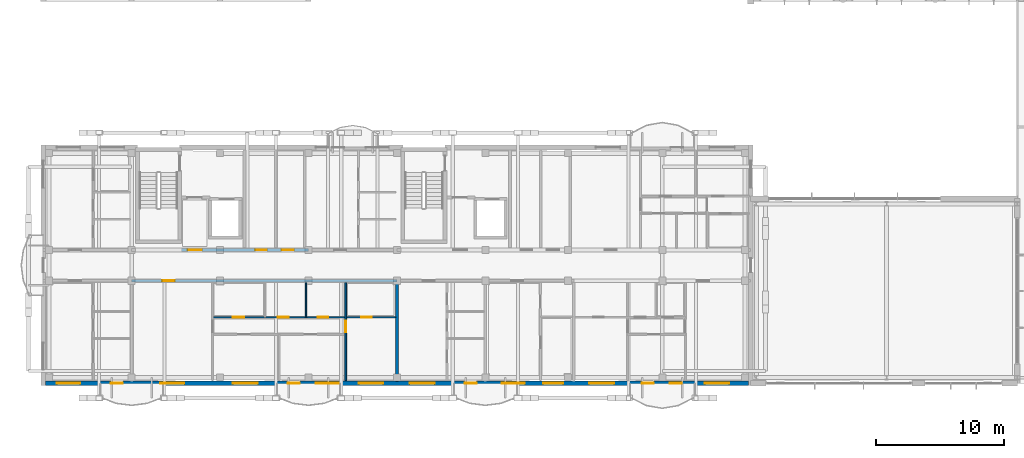
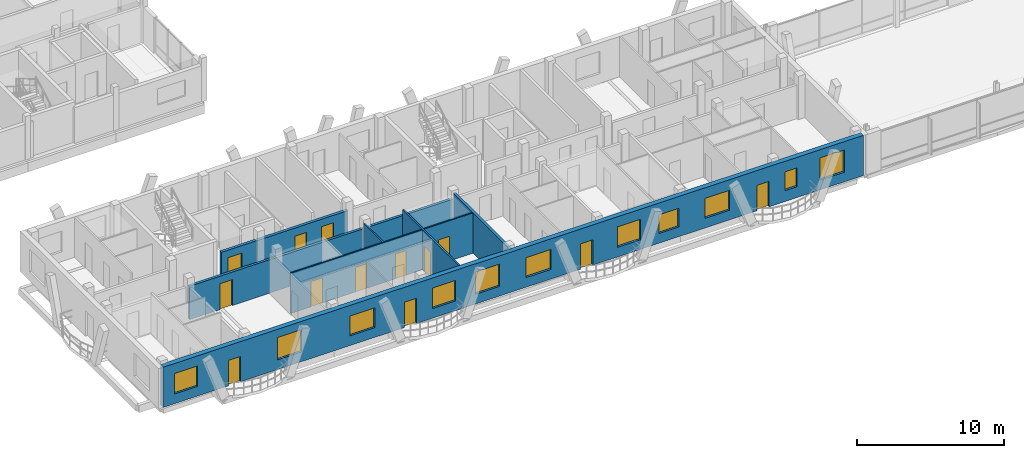
# One storey, part 142 of 189: 13 doors, 11 windows, 7 walls, 24 openings.
"""IFC4 building model written with IfcOpenShell, lengths in metres."""

from ifc_helpers import new_model, si_unit, direction, frame, frame_2d, origin, origin_with_axes, place, context, subcontext, project, spatial, rectangle, extrude, material, layer, layer_set, type_object, element, fill, save


model = new_model("IFC4")

# Units and contexts
model_context = context("Model", 3, precision=1e-05, world=origin(), true_north=direction((0.0, 1.0)))
body_context = subcontext(model_context, "Body", "Model", "MODEL_VIEW")
ifc_project = project(units=[si_unit("LENGTHUNIT", "METRE"), si_unit("AREAUNIT", "SQUARE_METRE"), si_unit("VOLUMEUNIT", "CUBIC_METRE"), si_unit("PLANEANGLEUNIT", "RADIAN"), si_unit("MASSUNIT", "GRAM", prefix="KILO")], contexts=[model_context])

# Site, building, storey
site_placement = place(None, origin())
site = spatial("IfcSite", under=ifc_project, at=site_placement, CompositionType="ELEMENT")
building_placement = place(site_placement, origin())
building = spatial("IfcBuilding", under=site, at=building_placement, Name="Zavelmont Quarter", CompositionType="ELEMENT")
storey_placement = place(building_placement, frame((0.0, 0.0, 4.39990234375)))
storey = spatial("IfcBuildingStorey", under=building, at=storey_placement, Name="L01", CompositionType="ELEMENT", Elevation=4.39990234375)

# Wall, openings, doors, windows
ifc_material_1 = material(Name="Natural Belgian limestone", Category="masonry")
ifc_layer_1 = layer(ifc_material_1, 0.3798828125)
ifc_layer_set_1 = layer_set([ifc_layer_1], Name="Natural Belgian limestone")
wall_type_1 = type_object("IfcWallType", Name="EW01", PredefinedType="STANDARD", material=ifc_layer_set_1)
wall_1_placement = place(storey_placement, frame((0.179931640625, 0.0, 0.0), z_axis=(0.0, 0.0, 1.0), x_axis=(1.0, 0.0, 0.0)))
wall_1 = element("IfcWall", 1, at=wall_1_placement, inside=storey, type_object=wall_type_1, Name="L01 exterior limestone wall EW01", PredefinedType="STANDARD", context=body_context, shape_type="SweptSolid", body=[
    extrude(rectangle(XDim=54.840087890625, YDim=0.3798828125, at=frame_2d((27.419921875, 0.0))), origin(), (0.0, 0.0, 1.0), 3.330078125),
])
opening_1_placement = place(wall_1_placement, frame((5.09033203125, 0.0, 0.0)))
opening_1 = element("IfcOpeningElement", 2, at=opening_1_placement, cuts=wall_1, Name="Opening DR04", PredefinedType="OPENING", context=body_context, shape_type="SweptSolid", body=[
    extrude(rectangle(XDim=0.949951171875, YDim=2.10009765625, at=frame_2d((0.47509765625, 1.050048828125))), frame((0.0, 0.201904296875, 0.0), z_axis=(0.0, -1.0, 0.0), x_axis=(1.0, 0.0, 0.0)), (0.0, 0.0, 1.0), 0.40380859375),
])
opening_2_placement = place(wall_1_placement, frame((18.889892578125, 0.0, 0.0)))
opening_2 = element("IfcOpeningElement", 3, at=opening_2_placement, cuts=wall_1, Name="Opening DR04", PredefinedType="OPENING", context=body_context, shape_type="SweptSolid", body=[
    extrude(rectangle(XDim=0.949951171875, YDim=2.10009765625, at=frame_2d((0.47509765625, 1.050048828125))), frame((0.0, 0.201904296875, 0.0), z_axis=(0.0, -1.0, 0.0), x_axis=(1.0, 0.0, 0.0)), (0.0, 0.0, 1.0), 0.40380859375),
])
opening_3_placement = place(wall_1_placement, frame((32.6904296875, 0.0, 0.0)))
opening_3 = element("IfcOpeningElement", 4, at=opening_3_placement, cuts=wall_1, Name="Opening DR04", PredefinedType="OPENING", context=body_context, shape_type="SweptSolid", body=[
    extrude(rectangle(XDim=0.949951171875, YDim=2.10009765625, at=frame_2d((0.47509765625, 1.050048828125))), frame((0.0, 0.201904296875, 0.0), z_axis=(0.0, -1.0, 0.0), x_axis=(1.0, 0.0, 0.0)), (0.0, 0.0, 1.0), 0.40380859375),
])
opening_4_placement = place(wall_1_placement, frame((46.50732421875, 0.0, 0.0)))
opening_4 = element("IfcOpeningElement", 5, at=opening_4_placement, cuts=wall_1, Name="Opening DR04", PredefinedType="OPENING", context=body_context, shape_type="SweptSolid", body=[
    extrude(rectangle(XDim=0.949951171875, YDim=2.10009765625, at=frame_2d((0.47509765625, 1.050048828125))), frame((0.0, 0.201904296875, 0.0), z_axis=(0.0, -1.0, 0.0), x_axis=(1.0, 0.0, 0.0)), (0.0, 0.0, 1.0), 0.40380859375),
])
opening_5_placement = place(wall_1_placement, frame((0.889892578125, 0.0, 0.800048828125)))
opening_5 = element("IfcOpeningElement", 6, at=opening_5_placement, cuts=wall_1, Name="Opening WN02", PredefinedType="OPENING", context=body_context, shape_type="SweptSolid", body=[
    extrude(rectangle(XDim=1.800048828125, YDim=1.699951171875, at=frame_2d((0.89990234375, 0.85009765625))), frame((0.0, 0.201904296875, 0.0), z_axis=(0.0, -1.0, 0.0), x_axis=(1.0, 0.0, 0.0)), (0.0, 0.0, 1.0), 0.40380859375),
])
opening_6_placement = place(wall_1_placement, frame((8.93994140625, 0.0, 0.800048828125)))
opening_6 = element("IfcOpeningElement", 7, at=opening_6_placement, cuts=wall_1, Name="Opening WN20", PredefinedType="OPENING", context=body_context, shape_type="SweptSolid", body=[
    extrude(rectangle(XDim=1.89990234375, YDim=1.85009765625, at=frame_2d((0.949951171875, 0.925048828125))), frame((0.0, 0.201904296875, 0.0), z_axis=(0.0, -1.0, 0.0), x_axis=(1.0, 0.0, 0.0)), (0.0, 0.0, 1.0), 0.40380859375),
])
opening_7_placement = place(wall_1_placement, frame((14.614990234375, 0.0, 0.800048828125)))
opening_7 = element("IfcOpeningElement", 8, at=opening_7_placement, cuts=wall_1, Name="Opening WN24", PredefinedType="OPENING", context=body_context, shape_type="SweptSolid", body=[
    extrude(rectangle(XDim=1.949951171875, YDim=1.64990234375, at=frame_2d((0.97509765625, 0.824951171875))), frame((0.0, 0.201904296875, 0.0), z_axis=(0.0, -1.0, 0.0), x_axis=(1.0, 0.0, 0.0)), (0.0, 0.0, 1.0), 0.40380859375),
])
opening_8_placement = place(wall_1_placement, frame((21.090087890625, 0.0, 0.800048828125)))
opening_8 = element("IfcOpeningElement", 9, at=opening_8_placement, cuts=wall_1, Name="Opening WN02", PredefinedType="OPENING", context=body_context, shape_type="SweptSolid", body=[
    extrude(rectangle(XDim=1.800048828125, YDim=1.699951171875, at=frame_2d((0.89990234375, 0.85009765625))), frame((0.0, 0.201904296875, 0.0), z_axis=(0.0, -1.0, 0.0), x_axis=(1.0, 0.0, 0.0)), (0.0, 0.0, 1.0), 0.40380859375),
])
opening_9_placement = place(wall_1_placement, frame((24.43994140625, 0.0, 0.800048828125)))
opening_9 = element("IfcOpeningElement", 10, at=opening_9_placement, cuts=wall_1, Name="Opening WN20", PredefinedType="OPENING", context=body_context, shape_type="SweptSolid", body=[
    extrude(rectangle(XDim=1.89990234375, YDim=1.85009765625, at=frame_2d((0.949951171875, 0.925048828125))), frame((0.0, 0.201904296875, 0.0), z_axis=(0.0, -1.0, 0.0), x_axis=(1.0, 0.0, 0.0)), (0.0, 0.0, 1.0), 0.40380859375),
])
opening_10_placement = place(wall_1_placement, frame((28.4150390625, 0.0, 0.800048828125)))
opening_10 = element("IfcOpeningElement", 11, at=opening_10_placement, cuts=wall_1, Name="Opening WN24", PredefinedType="OPENING", context=body_context, shape_type="SweptSolid", body=[
    extrude(rectangle(XDim=1.949951171875, YDim=1.64990234375, at=frame_2d((0.97509765625, 0.824951171875))), frame((0.0, 0.201904296875, 0.0), z_axis=(0.0, -1.0, 0.0), x_axis=(1.0, 0.0, 0.0)), (0.0, 0.0, 1.0), 0.40380859375),
])
opening_11_placement = place(wall_1_placement, frame((35.590087890625, 0.0, 0.800048828125)))
opening_11 = element("IfcOpeningElement", 12, at=opening_11_placement, cuts=wall_1, Name="Opening WN02", PredefinedType="OPENING", context=body_context, shape_type="SweptSolid", body=[
    extrude(rectangle(XDim=1.800048828125, YDim=1.699951171875, at=frame_2d((0.89990234375, 0.85009765625))), frame((0.0, 0.201904296875, 0.0), z_axis=(0.0, -1.0, 0.0), x_axis=(1.0, 0.0, 0.0)), (0.0, 0.0, 1.0), 0.40380859375),
])
opening_12_placement = place(wall_1_placement, frame((38.830078125, 0.0, 0.800048828125)))
opening_12 = element("IfcOpeningElement", 13, at=opening_12_placement, cuts=wall_1, Name="Opening WN23", PredefinedType="OPENING", context=body_context, shape_type="SweptSolid", body=[
    extrude(rectangle(XDim=1.550048828125, YDim=1.550048828125, at=frame_2d((0.77490234375, 0.77490234375))), frame((0.0, 0.201904296875, 0.0), z_axis=(0.0, -1.0, 0.0), x_axis=(1.0, 0.0, 0.0)), (0.0, 0.0, 1.0), 0.40380859375),
])
opening_13_placement = place(wall_1_placement, frame((42.4150390625, 0.0, 0.800048828125)))
opening_13 = element("IfcOpeningElement", 14, at=opening_13_placement, cuts=wall_1, Name="Opening WN24", PredefinedType="OPENING", context=body_context, shape_type="SweptSolid", body=[
    extrude(rectangle(XDim=1.949951171875, YDim=1.64990234375, at=frame_2d((0.97509765625, 0.824951171875))), frame((0.0, 0.201904296875, 0.0), z_axis=(0.0, -1.0, 0.0), x_axis=(1.0, 0.0, 0.0)), (0.0, 0.0, 1.0), 0.40380859375),
])
opening_14_placement = place(wall_1_placement, frame((48.68994140625, 0.0, 0.89990234375)))
opening_14 = element("IfcOpeningElement", 15, at=opening_14_placement, cuts=wall_1, Name="Opening WN04", PredefinedType="OPENING", context=body_context, shape_type="SweptSolid", body=[
    extrude(rectangle(XDim=0.949951171875, YDim=1.550048828125, at=frame_2d((0.47509765625, 0.77490234375))), frame((0.0, 0.201904296875, 0.0), z_axis=(0.0, -1.0, 0.0), x_axis=(1.0, 0.0, 0.0)), (0.0, 0.0, 1.0), 0.40380859375),
])
opening_15_placement = place(wall_1_placement, frame((51.43994140625, 0.0, 0.800048828125)))
opening_15 = element("IfcOpeningElement", 16, at=opening_15_placement, cuts=wall_1, Name="Opening WN20", PredefinedType="OPENING", context=body_context, shape_type="SweptSolid", body=[
    extrude(rectangle(XDim=1.89990234375, YDim=1.85009765625, at=frame_2d((0.949951171875, 0.925048828125))), frame((0.0, 0.201904296875, 0.0), z_axis=(0.0, -1.0, 0.0), x_axis=(1.0, 0.0, 0.0)), (0.0, 0.0, 1.0), 0.40380859375),
])
ifc_material_2 = material(Name="Thermally broken aluminium and double safety glass", Category="aluminium")
door_type_1 = type_object("IfcDoorType", Name="DR04", OperationType="NOTDEFINED", PredefinedType="DOOR", material=ifc_material_2)
door_1_placement = place(opening_1_placement, origin_with_axes())
door_1 = element("IfcDoor", 17, at=door_1_placement, inside=storey, type_object=door_type_1, Name="Block A L01 glazed balcony door", OperationType="SINGLE_SWING_RIGHT", OverallHeight=2.10009765625, OverallWidth=0.949951171875, PredefinedType="DOOR", context=body_context, shape_type="SweptSolid", body=[
    extrude(rectangle(XDim=0.949951171875, YDim=2.10009765625, at=frame_2d((0.47509765625, 1.050048828125))), frame((0.0, 0.02490234375, 0.0), z_axis=(0.0, -1.0, 0.0), x_axis=(1.0, 0.0, 0.0)), (0.0, 0.0, 1.0), 0.050048828125),
])
fill(opening_1, door_1)
door_2_placement = place(opening_2_placement, origin_with_axes())
door_2 = element("IfcDoor", 18, at=door_2_placement, inside=storey, type_object=door_type_1, Name="Block A L01 glazed balcony door", OperationType="SINGLE_SWING_RIGHT", OverallHeight=2.10009765625, OverallWidth=0.949951171875, PredefinedType="DOOR", context=body_context, shape_type="SweptSolid", body=[
    extrude(rectangle(XDim=0.949951171875, YDim=2.10009765625, at=frame_2d((0.47509765625, 1.050048828125))), frame((0.0, 0.02490234375, 0.0), z_axis=(0.0, -1.0, 0.0), x_axis=(1.0, 0.0, 0.0)), (0.0, 0.0, 1.0), 0.050048828125),
])
fill(opening_2, door_2)
door_3_placement = place(opening_3_placement, origin_with_axes())
door_3 = element("IfcDoor", 19, at=door_3_placement, inside=storey, type_object=door_type_1, Name="Block A L01 glazed balcony door", OperationType="SINGLE_SWING_RIGHT", OverallHeight=2.10009765625, OverallWidth=0.949951171875, PredefinedType="DOOR", context=body_context, shape_type="SweptSolid", body=[
    extrude(rectangle(XDim=0.949951171875, YDim=2.10009765625, at=frame_2d((0.47509765625, 1.050048828125))), frame((0.0, 0.02490234375, 0.0), z_axis=(0.0, -1.0, 0.0), x_axis=(1.0, 0.0, 0.0)), (0.0, 0.0, 1.0), 0.050048828125),
])
fill(opening_3, door_3)
door_4_placement = place(opening_4_placement, origin_with_axes())
door_4 = element("IfcDoor", 20, at=door_4_placement, inside=storey, type_object=door_type_1, Name="Block A L01 glazed balcony door", OperationType="SINGLE_SWING_RIGHT", OverallHeight=2.10009765625, OverallWidth=0.949951171875, PredefinedType="DOOR", context=body_context, shape_type="SweptSolid", body=[
    extrude(rectangle(XDim=0.949951171875, YDim=2.10009765625, at=frame_2d((0.47509765625, 1.050048828125))), frame((0.0, 0.02490234375, 0.0), z_axis=(0.0, -1.0, 0.0), x_axis=(1.0, 0.0, 0.0)), (0.0, 0.0, 1.0), 0.050048828125),
])
fill(opening_4, door_4)
ifc_material_3 = material(Name="Double low-E insulated glazing in thermally broken aluminium frame", Category="aluminium")
window_type_1 = type_object("IfcWindowType", Name="WN02", PartitioningType="SINGLE_PANEL", PredefinedType="WINDOW", material=ifc_material_3)
window_1_placement = place(opening_5_placement, origin_with_axes())
window_1 = element("IfcWindow", 21, at=window_1_placement, inside=storey, type_object=window_type_1, Name="L01 window WN02", OverallHeight=1.699951171875, OverallWidth=1.800048828125, PartitioningType="SINGLE_PANEL", PredefinedType="WINDOW", context=body_context, shape_type="SweptSolid", body=[
    extrude(rectangle(XDim=1.800048828125, YDim=1.699951171875, at=frame_2d((0.89990234375, 0.85009765625))), frame((0.0, 0.030029296875, 0.0), z_axis=(0.0, -1.0, 0.0), x_axis=(1.0, 0.0, 0.0)), (0.0, 0.0, 1.0), 0.06005859375),
])
fill(opening_5, window_1)
window_2_placement = place(opening_8_placement, origin_with_axes())
window_2 = element("IfcWindow", 22, at=window_2_placement, inside=storey, type_object=window_type_1, Name="L01 window WN02", OverallHeight=1.699951171875, OverallWidth=1.800048828125, PartitioningType="SINGLE_PANEL", PredefinedType="WINDOW", context=body_context, shape_type="SweptSolid", body=[
    extrude(rectangle(XDim=1.800048828125, YDim=1.699951171875, at=frame_2d((0.89990234375, 0.85009765625))), frame((0.0, 0.030029296875, 0.0), z_axis=(0.0, -1.0, 0.0), x_axis=(1.0, 0.0, 0.0)), (0.0, 0.0, 1.0), 0.06005859375),
])
fill(opening_8, window_2)
window_3_placement = place(opening_11_placement, origin_with_axes())
window_3 = element("IfcWindow", 23, at=window_3_placement, inside=storey, type_object=window_type_1, Name="L01 window WN02", OverallHeight=1.699951171875, OverallWidth=1.800048828125, PartitioningType="SINGLE_PANEL", PredefinedType="WINDOW", context=body_context, shape_type="SweptSolid", body=[
    extrude(rectangle(XDim=1.800048828125, YDim=1.699951171875, at=frame_2d((0.89990234375, 0.85009765625))), frame((0.0, 0.030029296875, 0.0), z_axis=(0.0, -1.0, 0.0), x_axis=(1.0, 0.0, 0.0)), (0.0, 0.0, 1.0), 0.06005859375),
])
fill(opening_11, window_3)
window_type_2 = type_object("IfcWindowType", Name="WN04", PartitioningType="SINGLE_PANEL", PredefinedType="WINDOW", material=ifc_material_3)
window_4_placement = place(opening_14_placement, origin_with_axes())
window_4 = element("IfcWindow", 24, at=window_4_placement, inside=storey, type_object=window_type_2, Name="L01 window WN04", OverallHeight=1.550048828125, OverallWidth=0.949951171875, PartitioningType="SINGLE_PANEL", PredefinedType="WINDOW", context=body_context, shape_type="SweptSolid", body=[
    extrude(rectangle(XDim=0.949951171875, YDim=1.550048828125, at=frame_2d((0.47509765625, 0.77490234375))), frame((0.0, 0.030029296875, 0.0), z_axis=(0.0, -1.0, 0.0), x_axis=(1.0, 0.0, 0.0)), (0.0, 0.0, 1.0), 0.06005859375),
])
fill(opening_14, window_4)
window_type_3 = type_object("IfcWindowType", Name="WN20", PartitioningType="SINGLE_PANEL", PredefinedType="WINDOW", material=ifc_material_3)
window_5_placement = place(opening_6_placement, origin_with_axes())
window_5 = element("IfcWindow", 25, at=window_5_placement, inside=storey, type_object=window_type_3, Name="L01 window WN20", OverallHeight=1.85009765625, OverallWidth=1.89990234375, PartitioningType="SINGLE_PANEL", PredefinedType="WINDOW", context=body_context, shape_type="SweptSolid", body=[
    extrude(rectangle(XDim=1.89990234375, YDim=1.85009765625, at=frame_2d((0.949951171875, 0.925048828125))), frame((0.0, 0.030029296875, 0.0), z_axis=(0.0, -1.0, 0.0), x_axis=(1.0, 0.0, 0.0)), (0.0, 0.0, 1.0), 0.06005859375),
])
fill(opening_6, window_5)
window_6_placement = place(opening_9_placement, origin_with_axes())
window_6 = element("IfcWindow", 26, at=window_6_placement, inside=storey, type_object=window_type_3, Name="L01 window WN20", OverallHeight=1.85009765625, OverallWidth=1.89990234375, PartitioningType="SINGLE_PANEL", PredefinedType="WINDOW", context=body_context, shape_type="SweptSolid", body=[
    extrude(rectangle(XDim=1.89990234375, YDim=1.85009765625, at=frame_2d((0.949951171875, 0.925048828125))), frame((0.0, 0.030029296875, 0.0), z_axis=(0.0, -1.0, 0.0), x_axis=(1.0, 0.0, 0.0)), (0.0, 0.0, 1.0), 0.06005859375),
])
fill(opening_9, window_6)
window_7_placement = place(opening_15_placement, origin_with_axes())
window_7 = element("IfcWindow", 27, at=window_7_placement, inside=storey, type_object=window_type_3, Name="L01 window WN20", OverallHeight=1.85009765625, OverallWidth=1.89990234375, PartitioningType="SINGLE_PANEL", PredefinedType="WINDOW", context=body_context, shape_type="SweptSolid", body=[
    extrude(rectangle(XDim=1.89990234375, YDim=1.85009765625, at=frame_2d((0.949951171875, 0.925048828125))), frame((0.0, 0.030029296875, 0.0), z_axis=(0.0, -1.0, 0.0), x_axis=(1.0, 0.0, 0.0)), (0.0, 0.0, 1.0), 0.06005859375),
])
fill(opening_15, window_7)
window_type_4 = type_object("IfcWindowType", Name="WN23", PartitioningType="SINGLE_PANEL", PredefinedType="WINDOW", material=ifc_material_3)
window_8_placement = place(opening_12_placement, origin_with_axes())
window_8 = element("IfcWindow", 28, at=window_8_placement, inside=storey, type_object=window_type_4, Name="L01 window WN23", OverallHeight=1.550048828125, OverallWidth=1.550048828125, PartitioningType="SINGLE_PANEL", PredefinedType="WINDOW", context=body_context, shape_type="SweptSolid", body=[
    extrude(rectangle(XDim=1.550048828125, YDim=1.550048828125, at=frame_2d((0.77490234375, 0.77490234375))), frame((0.0, 0.030029296875, 0.0), z_axis=(0.0, -1.0, 0.0), x_axis=(1.0, 0.0, 0.0)), (0.0, 0.0, 1.0), 0.06005859375),
])
fill(opening_12, window_8)
window_type_5 = type_object("IfcWindowType", Name="WN24", PartitioningType="SINGLE_PANEL", PredefinedType="WINDOW", material=ifc_material_3)
window_9_placement = place(opening_7_placement, origin_with_axes())
window_9 = element("IfcWindow", 29, at=window_9_placement, inside=storey, type_object=window_type_5, Name="L01 window WN24", OverallHeight=1.64990234375, OverallWidth=1.949951171875, PartitioningType="SINGLE_PANEL", PredefinedType="WINDOW", context=body_context, shape_type="SweptSolid", body=[
    extrude(rectangle(XDim=1.949951171875, YDim=1.64990234375, at=frame_2d((0.97509765625, 0.824951171875))), frame((0.0, 0.030029296875, 0.0), z_axis=(0.0, -1.0, 0.0), x_axis=(1.0, 0.0, 0.0)), (0.0, 0.0, 1.0), 0.06005859375),
])
fill(opening_7, window_9)
window_10_placement = place(opening_10_placement, origin_with_axes())
window_10 = element("IfcWindow", 30, at=window_10_placement, inside=storey, type_object=window_type_5, Name="L01 window WN24", OverallHeight=1.64990234375, OverallWidth=1.949951171875, PartitioningType="SINGLE_PANEL", PredefinedType="WINDOW", context=body_context, shape_type="SweptSolid", body=[
    extrude(rectangle(XDim=1.949951171875, YDim=1.64990234375, at=frame_2d((0.97509765625, 0.824951171875))), frame((0.0, 0.030029296875, 0.0), z_axis=(0.0, -1.0, 0.0), x_axis=(1.0, 0.0, 0.0)), (0.0, 0.0, 1.0), 0.06005859375),
])
fill(opening_10, window_10)
window_11_placement = place(opening_13_placement, origin_with_axes())
window_11 = element("IfcWindow", 31, at=window_11_placement, inside=storey, type_object=window_type_5, Name="L01 window WN24", OverallHeight=1.64990234375, OverallWidth=1.949951171875, PartitioningType="SINGLE_PANEL", PredefinedType="WINDOW", context=body_context, shape_type="SweptSolid", body=[
    extrude(rectangle(XDim=1.949951171875, YDim=1.64990234375, at=frame_2d((0.97509765625, 0.824951171875))), frame((0.0, 0.030029296875, 0.0), z_axis=(0.0, -1.0, 0.0), x_axis=(1.0, 0.0, 0.0)), (0.0, 0.0, 1.0), 0.06005859375),
])
fill(opening_13, window_11)

# Wall
ifc_material_4 = material(Name="Calcium-silicate blockwork and acoustic plaster", Category="masonry")
ifc_layer_2 = layer(ifc_material_4, 0.199951171875)
ifc_layer_set_2 = layer_set([ifc_layer_2], Name="Calcium-silicate blockwork and acoustic plaster")
wall_type_2 = type_object("IfcWallType", Name="IW01", PredefinedType="PARTITIONING", material=ifc_layer_set_2)
wall_2_placement = place(storey_placement, frame((27.60009765625, 7.85009765625, 0.0), z_axis=(0.0, 0.0, 1.0), x_axis=(0.0, -1.0, 0.0)))
element("IfcWall", 32, at=wall_2_placement, inside=storey, type_object=wall_type_2, Name="L01 Inter-dwelling compartment wall IW01", PredefinedType="PARTITIONING", context=body_context, shape_type="SweptSolid", body=[
    extrude(rectangle(XDim=7.7001953125, YDim=0.199951171875, at=frame_2d((3.85009765625, 0.0))), origin(), (0.0, 0.0, 1.0), 3.330078125),
])

# Wall, opening, door
wall_3_placement = place(storey_placement, frame((6.89990234375, 8.0, 0.0), z_axis=(0.0, 0.0, 1.0), x_axis=(1.0, 0.0, 0.0)))
wall_3 = element("IfcWall", 33, at=wall_3_placement, inside=storey, type_object=wall_type_2, Name="L01 Corridor compartment wall IW01", PredefinedType="PARTITIONING", context=body_context, shape_type="SweptSolid", body=[
    extrude(rectangle(XDim=20.7001953125, YDim=0.199951171875, at=frame_2d((10.35009765625, 0.0))), origin(), (0.0, 0.0, 1.0), 2.77001953125),
])
opening_16_placement = place(wall_3_placement, frame((2.39990234375, 0.0, 0.0)))
opening_16 = element("IfcOpeningElement", 34, at=opening_16_placement, cuts=wall_3, Name="Opening DR02", PredefinedType="OPENING", context=body_context, shape_type="SweptSolid", body=[
    extrude(rectangle(XDim=0.949951171875, YDim=2.14990234375, at=frame_2d((0.47509765625, 1.074951171875))), frame((0.0, 0.11181640625, 0.0), z_axis=(0.0, -1.0, 0.0), x_axis=(1.0, 0.0, 0.0)), (0.0, 0.0, 1.0), 0.223876953125),
])
ifc_material_5 = material(Name="Solid-core oak fire leaf in steel frame", Category="steel")
door_type_2 = type_object("IfcDoorType", Name="DR02", OperationType="NOTDEFINED", PredefinedType="DOOR", material=ifc_material_5)
door_5_placement = place(opening_16_placement, frame((0.949951171875, 0.0, 0.0), z_axis=(0.0, 0.0, 1.0), x_axis=(-1.0, 0.0, 0.0)))
door_5 = element("IfcDoor", 35, at=door_5_placement, inside=storey, type_object=door_type_2, Name="L01 door DR02", OperationType="SINGLE_SWING_RIGHT", OverallHeight=2.14990234375, OverallWidth=0.949951171875, PredefinedType="DOOR", context=body_context, shape_type="SweptSolid", body=[
    extrude(rectangle(XDim=0.949951171875, YDim=2.14990234375, at=frame_2d((0.47509765625, 1.074951171875))), frame((0.0, 0.02490234375, 0.0), z_axis=(0.0, -1.0, 0.0), x_axis=(1.0, 0.0, 0.0)), (0.0, 0.0, 1.0), 0.050048828125),
])
fill(opening_16, door_5)

# Wall, openings, doors
ifc_material_6 = material(Name="Reinforced masonry fire compartment wall", Category="masonry")
ifc_layer_3 = layer(ifc_material_6, 0.22509765625)
ifc_layer_set_3 = layer_set([ifc_layer_3], Name="Reinforced masonry fire compartment wall")
wall_type_3 = type_object("IfcWallType", Name="IW02", PredefinedType="PARTITIONING", material=ifc_layer_set_3)
wall_4_placement = place(storey_placement, frame((10.800048828125, 10.39990234375, 0.0), z_axis=(0.0, 0.0, 1.0), x_axis=(1.0, 0.0, 0.0)))
wall_4 = element("IfcWall", 36, at=wall_4_placement, inside=storey, type_object=wall_type_3, Name="L01 Core corridor fire wall IW02", PredefinedType="PARTITIONING", context=body_context, shape_type="SweptSolid", body=[
    extrude(rectangle(XDim=9.89990234375, YDim=0.22509765625, at=frame_2d((4.949951171875, 0.0))), origin(), (0.0, 0.0, 1.0), 2.77001953125),
])
opening_17_placement = place(wall_4_placement, frame((0.47509765625, 0.0, 0.0)))
opening_17 = element("IfcOpeningElement", 37, at=opening_17_placement, cuts=wall_4, Name="Opening DR10", PredefinedType="OPENING", context=body_context, shape_type="SweptSolid", body=[
    extrude(rectangle(XDim=1.10009765625, YDim=2.14990234375, at=frame_2d((0.550048828125, 1.074951171875))), frame((0.0, 0.12451171875, 0.0), z_axis=(0.0, -1.0, 0.0), x_axis=(1.0, 0.0, 0.0)), (0.0, 0.0, 1.0), 0.2490234375),
])
opening_18_placement = place(wall_4_placement, frame((5.75, 0.0, 0.0)))
opening_18 = element("IfcOpeningElement", 38, at=opening_18_placement, cuts=wall_4, Name="Opening DR11", PredefinedType="OPENING", context=body_context, shape_type="SweptSolid", body=[
    extrude(rectangle(XDim=0.89990234375, YDim=2.10009765625, at=frame_2d((0.449951171875, 1.050048828125))), frame((0.0, 0.12451171875, 0.0), z_axis=(0.0, -1.0, 0.0), x_axis=(1.0, 0.0, 0.0)), (0.0, 0.0, 1.0), 0.2490234375),
])
opening_19_placement = place(wall_4_placement, frame((7.800048828125, 0.0, 0.0)))
opening_19 = element("IfcOpeningElement", 39, at=opening_19_placement, cuts=wall_4, Name="Opening DR02", PredefinedType="OPENING", context=body_context, shape_type="SweptSolid", body=[
    extrude(rectangle(XDim=0.949951171875, YDim=2.14990234375, at=frame_2d((0.47509765625, 1.074951171875))), frame((0.0, 0.12451171875, 0.0), z_axis=(0.0, -1.0, 0.0), x_axis=(1.0, 0.0, 0.0)), (0.0, 0.0, 1.0), 0.2490234375),
])
door_6_placement = place(opening_19_placement, frame((0.949951171875, 0.0, 0.0), z_axis=(0.0, 0.0, 1.0), x_axis=(-1.0, 0.0, 0.0)))
door_6 = element("IfcDoor", 40, at=door_6_placement, inside=storey, type_object=door_type_2, Name="Auxiliary store corridor door", OperationType="SINGLE_SWING_RIGHT", OverallHeight=2.14990234375, OverallWidth=0.949951171875, PredefinedType="DOOR", context=body_context, shape_type="SweptSolid", body=[
    extrude(rectangle(XDim=0.949951171875, YDim=2.14990234375, at=frame_2d((0.47509765625, 1.074951171875))), frame((0.0, 0.02490234375, 0.0), z_axis=(0.0, -1.0, 0.0), x_axis=(1.0, 0.0, 0.0)), (0.0, 0.0, 1.0), 0.050048828125),
])
fill(opening_19, door_6)
ifc_material_7 = material(Name="Painted steel lobby fire door", Category="steel")
door_type_3 = type_object("IfcDoorType", Name="DR10", OperationType="NOTDEFINED", PredefinedType="DOOR", material=ifc_material_7)
door_7_placement = place(opening_17_placement, origin_with_axes())
door_7 = element("IfcDoor", 41, at=door_7_placement, inside=storey, type_object=door_type_3, Name="Core vestibule fire door", OperationType="SINGLE_SWING_RIGHT", OverallHeight=2.14990234375, OverallWidth=1.10009765625, PredefinedType="DOOR", context=body_context, shape_type="SweptSolid", body=[
    extrude(rectangle(XDim=1.10009765625, YDim=2.14990234375, at=frame_2d((0.550048828125, 1.074951171875))), frame((0.0, 0.02490234375, 0.0), z_axis=(0.0, -1.0, 0.0), x_axis=(1.0, 0.0, 0.0)), (0.0, 0.0, 1.0), 0.050048828125),
])
fill(opening_17, door_7)
ifc_material_8 = material(Name="Painted steel service-riser fire door", Category="steel")
door_type_4 = type_object("IfcDoorType", Name="DR11", OperationType="NOTDEFINED", PredefinedType="DOOR", material=ifc_material_8)
door_8_placement = place(opening_18_placement, frame((0.89990234375, 0.0, 0.0), z_axis=(0.0, 0.0, 1.0), x_axis=(-1.0, 0.0, 0.0)))
door_8 = element("IfcDoor", 42, at=door_8_placement, inside=storey, type_object=door_type_4, Name="Service riser fire door", OperationType="SINGLE_SWING_LEFT", OverallHeight=2.10009765625, OverallWidth=0.89990234375, PredefinedType="DOOR", context=body_context, shape_type="SweptSolid", body=[
    extrude(rectangle(XDim=0.89990234375, YDim=2.10009765625, at=frame_2d((0.449951171875, 1.050048828125))), frame((0.0, 0.02490234375, 0.0), z_axis=(0.0, -1.0, 0.0), x_axis=(1.0, 0.0, 0.0)), (0.0, 0.0, 1.0), 0.050048828125),
])
fill(opening_18, door_8)

# Wall, opening, door
ifc_material_9 = material(Name="Double gypsum board on acoustic steel stud", Category="steel")
ifc_layer_4 = layer(ifc_material_9, 0.125)
ifc_layer_set_4 = layer_set([ifc_layer_4], Name="Double gypsum board on acoustic steel stud")
wall_type_4 = type_object("IfcWallType", Name="IW03", PredefinedType="PARTITIONING", material=ifc_layer_set_4)
wall_5_placement = place(storey_placement, frame((23.60009765625, 7.85009765625, 0.0), z_axis=(0.0, 0.0, 1.0), x_axis=(0.0, -1.0, 0.0)))
wall_5 = element("IfcWall", 43, at=wall_5_placement, inside=storey, type_object=wall_type_4, Name="L01 Partition IW03", PredefinedType="PARTITIONING", context=body_context, shape_type="SweptSolid", body=[
    extrude(rectangle(XDim=7.650146484375, YDim=0.125, at=frame_2d((3.8251953125, 0.0))), origin(), (0.0, 0.0, 1.0), 3.330078125),
])
opening_20_placement = place(wall_5_placement, frame((2.949951171875, 0.0, 0.0)))
opening_20 = element("IfcOpeningElement", 44, at=opening_20_placement, cuts=wall_5, Name="Opening DR05", PredefinedType="OPENING", context=body_context, shape_type="SweptSolid", body=[
    extrude(rectangle(XDim=0.89990234375, YDim=2.10009765625, at=frame_2d((0.449951171875, 1.050048828125))), frame((0.0, 0.074462890625, 0.0), z_axis=(0.0, -1.0, 0.0), x_axis=(1.0, 0.0, 0.0)), (0.0, 0.0, 1.0), 0.14892578125),
])
ifc_material_10 = material(Name="Engineered oak flush interior door")
door_type_5 = type_object("IfcDoorType", Name="DR05", OperationType="NOTDEFINED", PredefinedType="DOOR", material=ifc_material_10)
door_9_placement = place(opening_20_placement, frame((0.89990234375, 0.0, 0.0), z_axis=(0.0, 0.0, 1.0), x_axis=(-1.0, 0.0, 0.0)))
door_9 = element("IfcDoor", 45, at=door_9_placement, inside=storey, type_object=door_type_5, Name="L01 door DR05", OperationType="SINGLE_SWING_LEFT", OverallHeight=2.10009765625, OverallWidth=0.89990234375, PredefinedType="DOOR", context=body_context, shape_type="SweptSolid", body=[
    extrude(rectangle(XDim=0.89990234375, YDim=2.10009765625, at=frame_2d((0.449951171875, 1.050048828125))), frame((0.0, 0.02490234375, 0.0), z_axis=(0.0, -1.0, 0.0), x_axis=(1.0, 0.0, 0.0)), (0.0, 0.0, 1.0), 0.050048828125),
])
fill(opening_20, door_9)

# Wall
ifc_material_11 = material(Name="Moisture-resistant gypsum board on steel stud", Category="steel")
ifc_layer_5 = layer(ifc_material_11, 0.10009765625)
ifc_layer_set_5 = layer_set([ifc_layer_5], Name="Moisture-resistant gypsum board on steel stud")
wall_type_5 = type_object("IfcWallType", Name="IW04", PredefinedType="PARTITIONING", material=ifc_layer_set_5)
wall_6_placement = place(storey_placement, frame((20.5, 7.85009765625, 0.0), z_axis=(0.0, 0.0, 1.0), x_axis=(0.0, -1.0, 0.0)))
element("IfcWall", 46, at=wall_6_placement, inside=storey, type_object=wall_type_5, Name="L01 Partition IW04", PredefinedType="PARTITIONING", context=body_context, shape_type="SweptSolid", body=[
    extrude(rectangle(XDim=2.7001953125, YDim=0.10009765625, at=frame_2d((1.35009765625, 0.0))), origin(), (0.0, 0.0, 1.0), 3.330078125),
])

# Wall, openings, doors
wall_7_placement = place(storey_placement, frame((13.199951171875, 5.14990234375, 0.0), z_axis=(0.0, 0.0, 1.0), x_axis=(1.0, 0.0, 0.0)))
wall_7 = element("IfcWall", 47, at=wall_7_placement, inside=storey, type_object=wall_type_5, Name="L01 Partition IW04", PredefinedType="PARTITIONING", context=body_context, shape_type="SweptSolid", body=[
    extrude(rectangle(XDim=14.300048828125, YDim=0.10009765625, at=frame_2d((7.14990234375, 0.0))), origin(), (0.0, 0.0, 1.0), 3.330078125),
])
opening_21_placement = place(wall_7_placement, frame((1.60009765625, 0.0, 0.0)))
opening_21 = element("IfcOpeningElement", 48, at=opening_21_placement, cuts=wall_7, Name="Opening DR05", PredefinedType="OPENING", context=body_context, shape_type="SweptSolid", body=[
    extrude(rectangle(XDim=0.89990234375, YDim=2.10009765625, at=frame_2d((0.449951171875, 1.050048828125))), frame((0.0, 0.06201171875, 0.0), z_axis=(0.0, -1.0, 0.0), x_axis=(1.0, 0.0, 0.0)), (0.0, 0.0, 1.0), 0.1240234375),
])
opening_22_placement = place(wall_7_placement, frame((5.10009765625, 0.0, 0.0)))
opening_22 = element("IfcOpeningElement", 49, at=opening_22_placement, cuts=wall_7, Name="Opening DR06", PredefinedType="OPENING", context=body_context, shape_type="SweptSolid", body=[
    extrude(rectangle(XDim=0.85009765625, YDim=2.050048828125, at=frame_2d((0.425048828125, 1.02490234375))), frame((0.0, 0.06201171875, 0.0), z_axis=(0.0, -1.0, 0.0), x_axis=(1.0, 0.0, 0.0)), (0.0, 0.0, 1.0), 0.1240234375),
])
opening_23_placement = place(wall_7_placement, frame((8.199951171875, 0.0, 0.0)))
opening_23 = element("IfcOpeningElement", 50, at=opening_23_placement, cuts=wall_7, Name="Opening DR06", PredefinedType="OPENING", context=body_context, shape_type="SweptSolid", body=[
    extrude(rectangle(XDim=0.85009765625, YDim=2.050048828125, at=frame_2d((0.425048828125, 1.02490234375))), frame((0.0, 0.06201171875, 0.0), z_axis=(0.0, -1.0, 0.0), x_axis=(1.0, 0.0, 0.0)), (0.0, 0.0, 1.0), 0.1240234375),
])
opening_24_placement = place(wall_7_placement, frame((11.60009765625, 0.0, 0.0)))
opening_24 = element("IfcOpeningElement", 51, at=opening_24_placement, cuts=wall_7, Name="Opening DR06", PredefinedType="OPENING", context=body_context, shape_type="SweptSolid", body=[
    extrude(rectangle(XDim=0.85009765625, YDim=2.050048828125, at=frame_2d((0.425048828125, 1.02490234375))), frame((0.0, 0.06201171875, 0.0), z_axis=(0.0, -1.0, 0.0), x_axis=(1.0, 0.0, 0.0)), (0.0, 0.0, 1.0), 0.1240234375),
])
door_10_placement = place(opening_21_placement, origin_with_axes())
door_10 = element("IfcDoor", 52, at=door_10_placement, inside=storey, type_object=door_type_5, Name="L01 door DR05", OperationType="SINGLE_SWING_RIGHT", OverallHeight=2.10009765625, OverallWidth=0.89990234375, PredefinedType="DOOR", context=body_context, shape_type="SweptSolid", body=[
    extrude(rectangle(XDim=0.89990234375, YDim=2.10009765625, at=frame_2d((0.449951171875, 1.050048828125))), frame((0.0, 0.02490234375, 0.0), z_axis=(0.0, -1.0, 0.0), x_axis=(1.0, 0.0, 0.0)), (0.0, 0.0, 1.0), 0.050048828125),
])
fill(opening_21, door_10)
ifc_material_12 = material(Name="Moisture-resistant painted wet-room door")
door_type_6 = type_object("IfcDoorType", Name="DR06", OperationType="NOTDEFINED", PredefinedType="DOOR", material=ifc_material_12)
door_11_placement = place(opening_22_placement, frame((0.85009765625, 0.0, 0.0), z_axis=(0.0, 0.0, 1.0), x_axis=(-1.0, 0.0, 0.0)))
door_11 = element("IfcDoor", 53, at=door_11_placement, inside=storey, type_object=door_type_6, Name="L01 door DR06", OperationType="SINGLE_SWING_LEFT", OverallHeight=2.050048828125, OverallWidth=0.85009765625, PredefinedType="DOOR", context=body_context, shape_type="SweptSolid", body=[
    extrude(rectangle(XDim=0.85009765625, YDim=2.050048828125, at=frame_2d((0.425048828125, 1.02490234375))), frame((0.0, 0.02490234375, 0.0), z_axis=(0.0, -1.0, 0.0), x_axis=(1.0, 0.0, 0.0)), (0.0, 0.0, 1.0), 0.050048828125),
])
fill(opening_22, door_11)
door_12_placement = place(opening_23_placement, origin_with_axes())
door_12 = element("IfcDoor", 54, at=door_12_placement, inside=storey, type_object=door_type_6, Name="L01 door DR06", OperationType="SINGLE_SWING_RIGHT", OverallHeight=2.050048828125, OverallWidth=0.85009765625, PredefinedType="DOOR", context=body_context, shape_type="SweptSolid", body=[
    extrude(rectangle(XDim=0.85009765625, YDim=2.050048828125, at=frame_2d((0.425048828125, 1.02490234375))), frame((0.0, 0.02490234375, 0.0), z_axis=(0.0, -1.0, 0.0), x_axis=(1.0, 0.0, 0.0)), (0.0, 0.0, 1.0), 0.050048828125),
])
fill(opening_23, door_12)
door_13_placement = place(opening_24_placement, frame((0.85009765625, 0.0, 0.0), z_axis=(0.0, 0.0, 1.0), x_axis=(-1.0, 0.0, 0.0)))
door_13 = element("IfcDoor", 55, at=door_13_placement, inside=storey, type_object=door_type_6, Name="L01 door DR06", OperationType="SINGLE_SWING_LEFT", OverallHeight=2.050048828125, OverallWidth=0.85009765625, PredefinedType="DOOR", context=body_context, shape_type="SweptSolid", body=[
    extrude(rectangle(XDim=0.85009765625, YDim=2.050048828125, at=frame_2d((0.425048828125, 1.02490234375))), frame((0.0, 0.02490234375, 0.0), z_axis=(0.0, -1.0, 0.0), x_axis=(1.0, 0.0, 0.0)), (0.0, 0.0, 1.0), 0.050048828125),
])
fill(opening_24, door_13)

save(model, "model.ifc")
